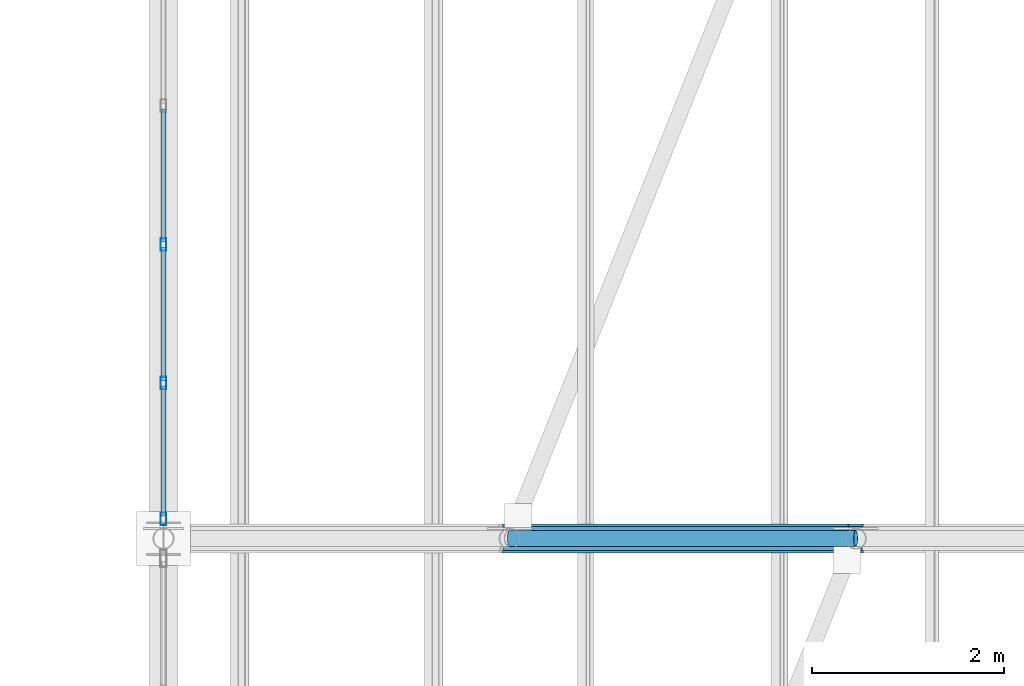
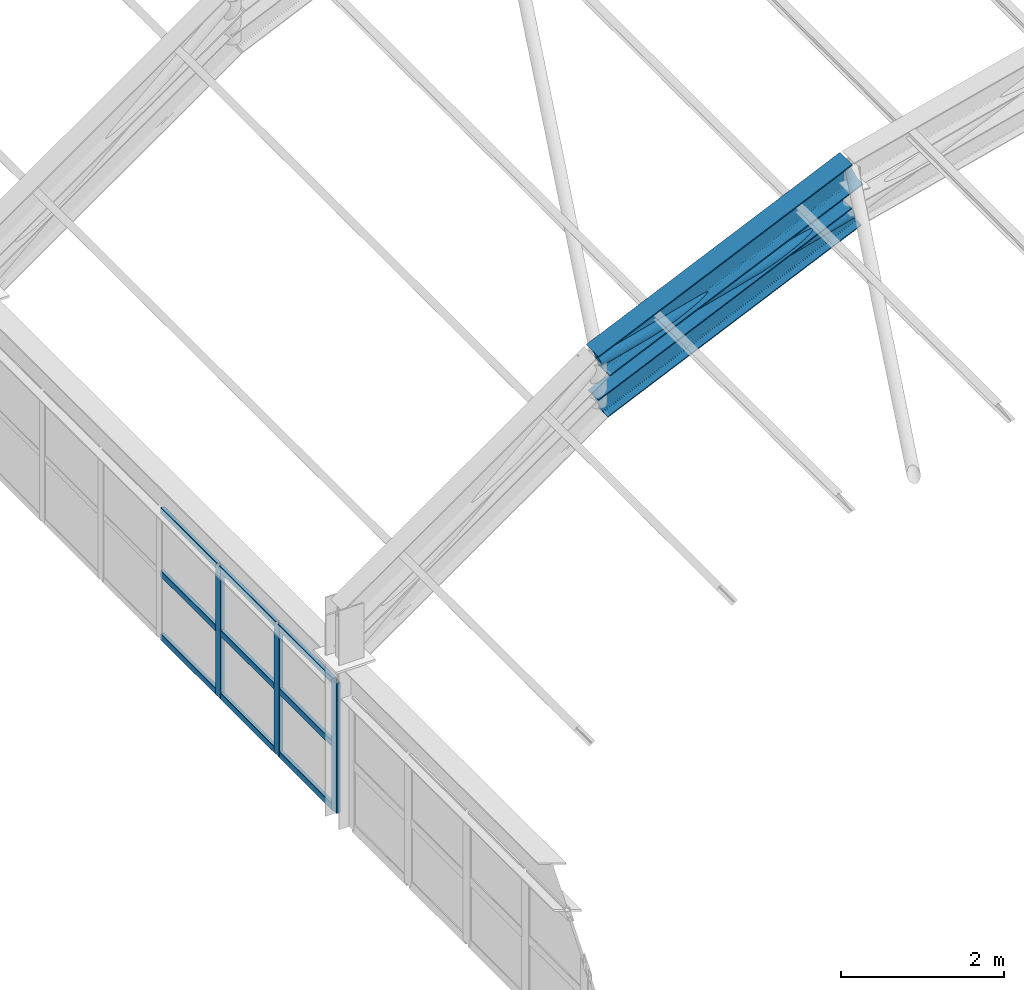
# One storey, part 31 of 121: 14 members, 1 beam, 1 element without a shape of its own.
"""IFC4 building model written with IfcOpenShell, lengths in metres."""

from ifc_helpers import new_model, si_unit, direction, frame, origin, origin_2d, place, context, subcontext, project, spatial, hollow_rectangle, hollow_circle, i_section, extrude, material, material_profile, profile_set, type_object, element, aggregate, save


model = new_model("IFC4")

# Units and contexts
model_context = context("Model", 3, precision=1e-05, world=origin(), true_north=direction((0.0, 1.0)))
body_context = subcontext(model_context, "Body", "Model", "MODEL_VIEW")
ifc_project = project(units=[si_unit("LENGTHUNIT", "METRE"), si_unit("AREAUNIT", "SQUARE_METRE"), si_unit("VOLUMEUNIT", "CUBIC_METRE"), si_unit("PLANEANGLEUNIT", "RADIAN"), si_unit("MASSUNIT", "GRAM", prefix="KILO")], contexts=[model_context])

# Site, building, storey
site_placement = place(None, origin())
site = spatial("IfcSite", under=ifc_project, at=site_placement, CompositionType="ELEMENT")
building_placement = place(site_placement, origin())
building = spatial("IfcBuilding", under=site, at=building_placement, Name="Canglan Escarpment Cableway Terminal", CompositionType="ELEMENT")
storey_placement = place(building_placement, frame((0.0, 0.0, 24.60009765625)))
storey = spatial("IfcBuildingStorey", under=building, at=storey_placement, Name="L05", CompositionType="ELEMENT", Elevation=24.60009765625)

# Beam
ifc_material_1 = material(Name="Steel Q355B", Category="steel")
ifc_material_profile_1 = material_profile(ifc_material_1, i_section(OverallWidth=0.300048828125, OverallDepth=0.389892578125, WebThickness=0.010009765625, FlangeThickness=0.01611328125, FilletRadius=0.02197265625, at=origin_2d()), Name="HM 390x300x10x16")
ifc_profile_set_1 = profile_set([ifc_material_profile_1], Name="Steel Q355B")
beam_type = type_object("IfcBeamType", Name="BM-ARCH-TOP-HM390", PredefinedType="BEAM", material=ifc_profile_set_1)
beam_placement = place(storey_placement, frame((141.199951171875, 61.0, 5.616455078125), z_axis=(0.911752518833, 0.0, 0.410739996108), x_axis=(0.0, 1.0, 0.0)))
element("IfcBeam", 1, at=beam_placement, inside=storey, type_object=beam_type, Name="Vault ROOF TRUSS arch top chord AR-TC1", PredefinedType="BEAM", context=body_context, shape_type="SweptSolid", body=[
    extrude(i_section(OverallWidth=0.300048828125, OverallDepth=0.389892578125, WebThickness=0.010009765625, FlangeThickness=0.01611328125, FilletRadius=0.02197265625, at=origin_2d()), origin(), (0.0, 0.0, 1.0), 3.948486328125),
])

# Curtain wall, members
ifc_material_2 = material(Name="Anodized bronze aluminium and Low-E double glazing", Category="aluminium")
curtain_wall_type = type_object("IfcCurtainWallType", Name="CW-BAY-8650x1950", PredefinedType="NOTDEFINED", material=ifc_material_2)
curtain_wall_placement = place(storey_placement, origin())
curtain_wall = element("IfcCurtainWall", 2, at=curtain_wall_placement, inside=storey, type_object=curtain_wall_type, Name="Classical bay-between-piers glazed curtain wall CW-66", PredefinedType="NOTDEFINED")
ifc_material_3 = material(Name="Thermally broken anodized aluminium 6063-T6", Category="aluminium")
ifc_material_profile_2 = material_profile(ifc_material_3, hollow_rectangle(XDim=0.06005859375, YDim=0.1298828125, WallThickness=0.0029296875, InnerFilletRadius=0.0029296875, OuterFilletRadius=0.006103515625, at=origin_2d()), Name="ALU-MULL 60x130x3")
ifc_profile_set_2 = profile_set([ifc_material_profile_2], Name="Thermally broken anodized aluminium 6063-T6")
member_type_1 = type_object("IfcMemberType", Name="CWM-01", PredefinedType="MULLION", material=ifc_profile_set_2)
member_1_placement = place(storey_placement, frame((137.60009765625, 64.058349609375, 0.0), z_axis=(0.0, 0.0, 1.0), x_axis=(1.0, 0.0, 0.0)))
member_1 = element("IfcMember", 3, at=member_1_placement, type_object=member_type_1, Name="CW-66 mullion 5", PredefinedType="MULLION", context=body_context, shape_type="SweptSolid", body=[
    extrude(hollow_rectangle(XDim=0.06005859375, YDim=0.1298828125, WallThickness=0.0029296875, InnerFilletRadius=0.0029296875, OuterFilletRadius=0.006103515625, at=origin_2d()), origin(), (0.0, 0.0, 1.0), 1.949951171875),
])
member_2_placement = place(storey_placement, frame((137.60009765625, 62.61669921875, 0.0), z_axis=(0.0, 0.0, 1.0), x_axis=(1.0, 0.0, 0.0)))
member_2 = element("IfcMember", 4, at=member_2_placement, type_object=member_type_1, Name="CW-66 mullion 6", PredefinedType="MULLION", context=body_context, shape_type="SweptSolid", body=[
    extrude(hollow_rectangle(XDim=0.06005859375, YDim=0.1298828125, WallThickness=0.0029296875, InnerFilletRadius=0.0029296875, OuterFilletRadius=0.006103515625, at=origin_2d()), origin(), (0.0, 0.0, 1.0), 1.949951171875),
])
member_3_placement = place(storey_placement, frame((137.60009765625, 61.205078125, 0.0), z_axis=(0.0, 0.0, 1.0), x_axis=(1.0, 0.0, 0.0)))
member_3 = element("IfcMember", 5, at=member_3_placement, type_object=member_type_1, Name="CW-66 mullion 7", PredefinedType="MULLION", context=body_context, shape_type="SweptSolid", body=[
    extrude(hollow_rectangle(XDim=0.06005859375, YDim=0.1298828125, WallThickness=0.0029296875, InnerFilletRadius=0.0029296875, OuterFilletRadius=0.006103515625, at=origin_2d()), origin(), (0.0, 0.0, 1.0), 1.949951171875),
])
ifc_material_profile_3 = material_profile(ifc_material_3, hollow_rectangle(XDim=0.054931640625, YDim=0.094970703125, WallThickness=0.0029296875, InnerFilletRadius=0.0029296875, OuterFilletRadius=0.006103515625, at=origin_2d()), Name="ALU-TRAN 55x95x3")
ifc_profile_set_3 = profile_set([ifc_material_profile_3], Name="Thermally broken anodized aluminium 6063-T6")
member_type_2 = type_object("IfcMemberType", Name="CWT-01", PredefinedType="USERDEFINED", material=ifc_profile_set_3)
member_4_placement = place(storey_placement, frame((137.60009765625, 65.469970703125, 0.02734375), z_axis=(0.0, -1.0, 0.0), x_axis=(1.0, 0.0, 0.0)))
member_4 = element("IfcMember", 6, at=member_4_placement, type_object=member_type_2, Name="CW-66 transom 4.1", ObjectType="TRANSOM", PredefinedType="USERDEFINED", context=body_context, shape_type="SweptSolid", body=[
    extrude(hollow_rectangle(XDim=0.054931640625, YDim=0.094970703125, WallThickness=0.0029296875, InnerFilletRadius=0.0029296875, OuterFilletRadius=0.006103515625, at=origin_2d()), origin(), (0.0, 0.0, 1.0), 1.381591796875),
])
member_5_placement = place(storey_placement, frame((137.60009765625, 65.469970703125, 0.974853515625), z_axis=(0.0, -1.0, 0.0), x_axis=(1.0, 0.0, 0.0)))
member_5 = element("IfcMember", 7, at=member_5_placement, type_object=member_type_2, Name="CW-66 transom 4.2", ObjectType="TRANSOM", PredefinedType="USERDEFINED", context=body_context, shape_type="SweptSolid", body=[
    extrude(hollow_rectangle(XDim=0.054931640625, YDim=0.094970703125, WallThickness=0.0029296875, InnerFilletRadius=0.0029296875, OuterFilletRadius=0.006103515625, at=origin_2d()), origin(), (0.0, 0.0, 1.0), 1.381591796875),
])
member_6_placement = place(storey_placement, frame((137.60009765625, 65.469970703125, 1.92236328125), z_axis=(0.0, -1.0, 0.0), x_axis=(1.0, 0.0, 0.0)))
member_6 = element("IfcMember", 8, at=member_6_placement, type_object=member_type_2, Name="CW-66 transom 4.3", ObjectType="TRANSOM", PredefinedType="USERDEFINED", context=body_context, shape_type="SweptSolid", body=[
    extrude(hollow_rectangle(XDim=0.054931640625, YDim=0.094970703125, WallThickness=0.0029296875, InnerFilletRadius=0.0029296875, OuterFilletRadius=0.006103515625, at=origin_2d()), origin(), (0.0, 0.0, 1.0), 1.381591796875),
])
member_7_placement = place(storey_placement, frame((137.60009765625, 64.0283203125, 0.02734375), z_axis=(0.0, -1.0, 0.0), x_axis=(1.0, 0.0, 0.0)))
member_7 = element("IfcMember", 9, at=member_7_placement, type_object=member_type_2, Name="CW-66 transom 5.1", ObjectType="TRANSOM", PredefinedType="USERDEFINED", context=body_context, shape_type="SweptSolid", body=[
    extrude(hollow_rectangle(XDim=0.054931640625, YDim=0.094970703125, WallThickness=0.0029296875, InnerFilletRadius=0.0029296875, OuterFilletRadius=0.006103515625, at=origin_2d()), origin(), (0.0, 0.0, 1.0), 1.381591796875),
])
member_8_placement = place(storey_placement, frame((137.60009765625, 64.0283203125, 0.974853515625), z_axis=(0.0, -1.0, 0.0), x_axis=(1.0, 0.0, 0.0)))
member_8 = element("IfcMember", 10, at=member_8_placement, type_object=member_type_2, Name="CW-66 transom 5.2", ObjectType="TRANSOM", PredefinedType="USERDEFINED", context=body_context, shape_type="SweptSolid", body=[
    extrude(hollow_rectangle(XDim=0.054931640625, YDim=0.094970703125, WallThickness=0.0029296875, InnerFilletRadius=0.0029296875, OuterFilletRadius=0.006103515625, at=origin_2d()), origin(), (0.0, 0.0, 1.0), 1.381591796875),
])
member_9_placement = place(storey_placement, frame((137.60009765625, 64.0283203125, 1.92236328125), z_axis=(0.0, -1.0, 0.0), x_axis=(1.0, 0.0, 0.0)))
member_9 = element("IfcMember", 11, at=member_9_placement, type_object=member_type_2, Name="CW-66 transom 5.3", ObjectType="TRANSOM", PredefinedType="USERDEFINED", context=body_context, shape_type="SweptSolid", body=[
    extrude(hollow_rectangle(XDim=0.054931640625, YDim=0.094970703125, WallThickness=0.0029296875, InnerFilletRadius=0.0029296875, OuterFilletRadius=0.006103515625, at=origin_2d()), origin(), (0.0, 0.0, 1.0), 1.381591796875),
])
member_10_placement = place(storey_placement, frame((137.60009765625, 62.586669921875, 0.02734375), z_axis=(0.0, -1.0, 0.0), x_axis=(1.0, 0.0, 0.0)))
member_10 = element("IfcMember", 12, at=member_10_placement, type_object=member_type_2, Name="CW-66 transom 6.1", ObjectType="TRANSOM", PredefinedType="USERDEFINED", context=body_context, shape_type="SweptSolid", body=[
    extrude(hollow_rectangle(XDim=0.054931640625, YDim=0.094970703125, WallThickness=0.0029296875, InnerFilletRadius=0.0029296875, OuterFilletRadius=0.006103515625, at=origin_2d()), origin(), (0.0, 0.0, 1.0), 1.3515625),
])
member_11_placement = place(storey_placement, frame((137.60009765625, 62.586669921875, 0.974853515625), z_axis=(0.0, -1.0, 0.0), x_axis=(1.0, 0.0, 0.0)))
member_11 = element("IfcMember", 13, at=member_11_placement, type_object=member_type_2, Name="CW-66 transom 6.2", ObjectType="TRANSOM", PredefinedType="USERDEFINED", context=body_context, shape_type="SweptSolid", body=[
    extrude(hollow_rectangle(XDim=0.054931640625, YDim=0.094970703125, WallThickness=0.0029296875, InnerFilletRadius=0.0029296875, OuterFilletRadius=0.006103515625, at=origin_2d()), origin(), (0.0, 0.0, 1.0), 1.3515625),
])
member_12_placement = place(storey_placement, frame((137.60009765625, 62.586669921875, 1.92236328125), z_axis=(0.0, -1.0, 0.0), x_axis=(1.0, 0.0, 0.0)))
member_12 = element("IfcMember", 14, at=member_12_placement, type_object=member_type_2, Name="CW-66 transom 6.3", ObjectType="TRANSOM", PredefinedType="USERDEFINED", context=body_context, shape_type="SweptSolid", body=[
    extrude(hollow_rectangle(XDim=0.054931640625, YDim=0.094970703125, WallThickness=0.0029296875, InnerFilletRadius=0.0029296875, OuterFilletRadius=0.006103515625, at=origin_2d()), origin(), (0.0, 0.0, 1.0), 1.3515625),
])
aggregate(curtain_wall, [member_1, member_2, member_3, member_4, member_5, member_6, member_7, member_8, member_9, member_10, member_11, member_12])

# Members
ifc_material_profile_4 = material_profile(ifc_material_1, i_section(OverallWidth=0.25, OverallDepth=0.340087890625, WebThickness=0.009033203125, FlangeThickness=0.013916015625, FilletRadius=0.02001953125, at=origin_2d()), Name="HM 340x250x9x14")
ifc_profile_set_4 = profile_set([ifc_material_profile_4], Name="Steel Q355B")
member_type_3 = type_object("IfcMemberType", Name="MB-ARCH-BOT-HM340", PredefinedType="CHORD", material=ifc_profile_set_4)
member_13_placement = place(storey_placement, frame((141.199951171875, 61.0, 4.966552734375), z_axis=(0.911752518833, 0.0, 0.410739996108), x_axis=(0.0, 1.0, 0.0)))
element("IfcMember", 15, at=member_13_placement, inside=storey, type_object=member_type_3, Name="Vault ROOF TRUSS arch bottom chord AR-BC1", PredefinedType="CHORD", context=body_context, shape_type="SweptSolid", body=[
    extrude(i_section(OverallWidth=0.25, OverallDepth=0.340087890625, WebThickness=0.009033203125, FlangeThickness=0.013916015625, FilletRadius=0.02001953125, at=origin_2d()), origin(), (0.0, 0.0, 1.0), 3.948486328125),
])
ifc_material_profile_5 = material_profile(ifc_material_1, hollow_circle(Radius=0.084228515625, WallThickness=0.006103515625, at=origin_2d()), Name="CHS 168.3x6")
ifc_profile_set_5 = profile_set([ifc_material_profile_5], Name="Steel Q355B")
member_type_4 = type_object("IfcMemberType", Name="MB-ARCH-DIAG-CHS168", PredefinedType="BRACE", material=ifc_profile_set_5)
member_14_placement = place(storey_placement, frame((141.199951171875, 61.0, 5.616455078125), z_axis=(0.96543600217, 0.0, 0.260640222748), x_axis=(0.0, 1.0, 0.0)))
element("IfcMember", 16, at=member_14_placement, inside=storey, type_object=member_type_4, Name="Vault ROOF TRUSS web diagonal AR-DG1", PredefinedType="BRACE", context=body_context, shape_type="SweptSolid", body=[
    extrude(hollow_circle(Radius=0.084228515625, WallThickness=0.006103515625, at=origin_2d()), origin(), (0.0, 0.0, 1.0), 3.72900390625),
])

save(model, "model.ifc")
